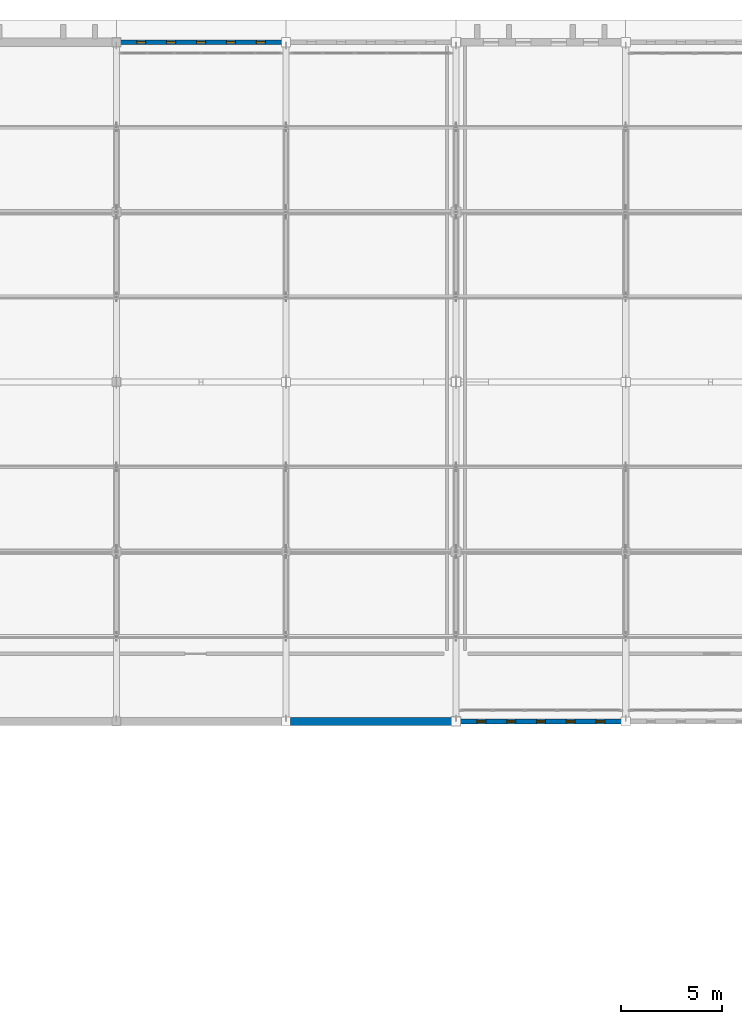
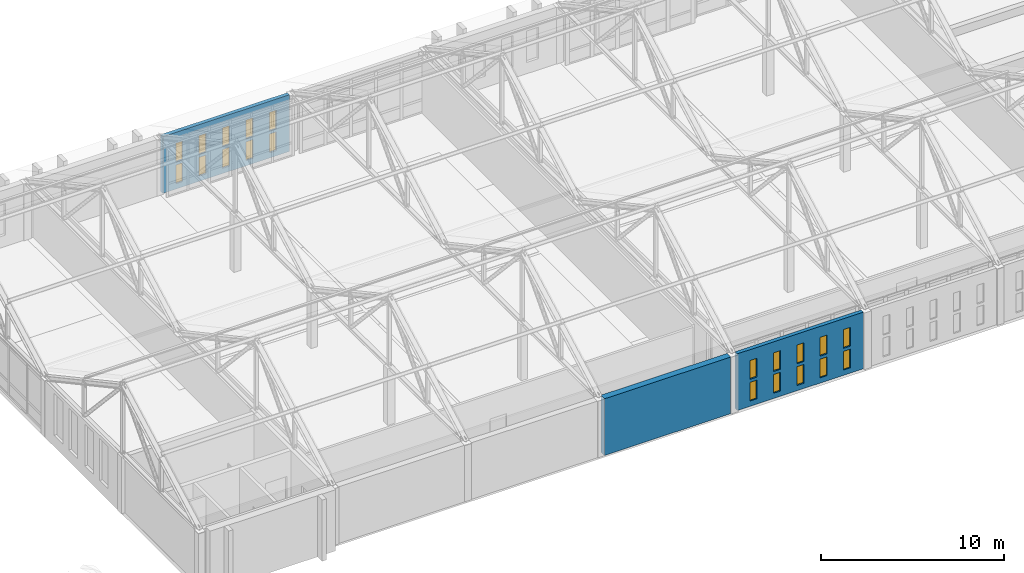
# One storey, part 90 of 110: 20 windows, 3 walls, 20 openings.
"""IFC4 building model written with IfcOpenShell, lengths in metres."""

from ifc_helpers import new_model, si_unit, direction, frame, frame_2d, origin, place, context, subcontext, project, spatial, rectangle, extrude, material, layer, layer_set, type_object, element, fill, save


model = new_model("IFC4")

# Units and contexts
model_context = context("Model", 3, precision=1e-05, world=origin(), true_north=direction((0.0, 1.0)))
body_context = subcontext(model_context, "Body", "Model", "MODEL_VIEW")
ifc_project = project(units=[si_unit("LENGTHUNIT", "METRE"), si_unit("AREAUNIT", "SQUARE_METRE"), si_unit("VOLUMEUNIT", "CUBIC_METRE"), si_unit("PLANEANGLEUNIT", "RADIAN"), si_unit("MASSUNIT", "GRAM", prefix="KILO")], contexts=[model_context])

# Site, building, storey
site_placement = place(None, origin())
site = spatial("IfcSite", under=ifc_project, at=site_placement, CompositionType="ELEMENT")
building_placement = place(site_placement, origin())
building = spatial("IfcBuilding", under=site, at=building_placement, Name="Kveldsbrygga Polytechnic", CompositionType="ELEMENT")
storey_placement = place(building_placement, frame((0.0, 0.0, 9.860107421875)))
storey = spatial("IfcBuildingStorey", under=building, at=storey_placement, Name="L02", CompositionType="ELEMENT", Elevation=9.860107421875)

# Wall
ifc_material_1 = material(Name="Fired clay brick masonry M10", Category="masonry")
ifc_layer_1 = layer(ifc_material_1, 0.39990234375)
ifc_layer_set_1 = layer_set([ifc_layer_1], Name="Fired clay brick masonry M10")
wall_type_1 = type_object("IfcWallType", Name="EW-BRICK-400", PredefinedType="SOLIDWALL", material=ifc_layer_set_1)
wall_1_placement = place(storey_placement, frame((67.409912109375, 84.0, 0.0), z_axis=(0.0, 0.0, 1.0), x_axis=(1.0, 0.0, 0.0)))
element("IfcWall", 1, at=wall_1_placement, inside=storey, type_object=wall_type_1, Name="Exterior Brick Wall EW-L02-X-08-10", PredefinedType="SOLIDWALL", context=body_context, shape_type="SweptSolid", body=[
    extrude(rectangle(XDim=7.965087890625, YDim=0.39990234375, at=frame_2d((3.982421875, 0.0))), origin(), (0.0, 0.0, 1.0), 3.77978515625),
])

# Wall, openings, windows
ifc_layer_2 = layer(ifc_material_1, 0.239990234375)
ifc_layer_set_2 = layer_set([ifc_layer_2], Name="Fired clay brick masonry M10")
wall_type_2 = type_object("IfcWallType", Name="EW-SCRN-240", PredefinedType="SOLIDWALL", material=ifc_layer_set_2)
wall_2_placement = place(storey_placement, frame((58.9951171875, 117.60009765625, 0.0), z_axis=(0.0, 0.0, 1.0), x_axis=(1.0, 0.0, 0.0)))
wall_2 = element("IfcWall", 2, at=wall_2_placement, inside=storey, type_object=wall_type_2, Name="Perforated Brick Corridor Screen Wall SCRW-L02-X-07-14", PredefinedType="SOLIDWALL", context=body_context, shape_type="SweptSolid", body=[
    extrude(rectangle(XDim=7.994873046875, YDim=0.239990234375, at=frame_2d((3.99755859375, 0.0))), origin(), (0.0, 0.0, 1.0), 3.77978515625),
])
opening_1_placement = place(wall_2_placement, frame((0.819580078125, 0.0, 0.35009765625)))
opening_1 = element("IfcOpeningElement", 3, at=opening_1_placement, cuts=wall_2, Name="Opening W-48", PredefinedType="OPENING", context=body_context, shape_type="SweptSolid", body=[
    extrude(rectangle(XDim=0.43994140625, YDim=1.25, at=frame_2d((0.219970703125, 0.625))), frame((0.0, 0.1298828125, 0.0), z_axis=(0.0, -1.0, 0.0), x_axis=(1.0, 0.0, 0.0)), (0.0, 0.0, 1.0), 0.260009765625),
])
opening_2_placement = place(wall_2_placement, frame((2.298583984375, 0.0, 0.35009765625)))
opening_2 = element("IfcOpeningElement", 4, at=opening_2_placement, cuts=wall_2, Name="Opening W-48", PredefinedType="OPENING", context=body_context, shape_type="SweptSolid", body=[
    extrude(rectangle(XDim=0.43994140625, YDim=1.25, at=frame_2d((0.219970703125, 0.625))), frame((0.0, 0.1298828125, 0.0), z_axis=(0.0, -1.0, 0.0), x_axis=(1.0, 0.0, 0.0)), (0.0, 0.0, 1.0), 0.260009765625),
])
opening_3_placement = place(wall_2_placement, frame((3.777587890625, 0.0, 0.35009765625)))
opening_3 = element("IfcOpeningElement", 5, at=opening_3_placement, cuts=wall_2, Name="Opening W-48", PredefinedType="OPENING", context=body_context, shape_type="SweptSolid", body=[
    extrude(rectangle(XDim=0.43994140625, YDim=1.25, at=frame_2d((0.219970703125, 0.625))), frame((0.0, 0.1298828125, 0.0), z_axis=(0.0, -1.0, 0.0), x_axis=(1.0, 0.0, 0.0)), (0.0, 0.0, 1.0), 0.260009765625),
])
opening_4_placement = place(wall_2_placement, frame((5.256591796875, 0.0, 0.35009765625)))
opening_4 = element("IfcOpeningElement", 6, at=opening_4_placement, cuts=wall_2, Name="Opening W-48", PredefinedType="OPENING", context=body_context, shape_type="SweptSolid", body=[
    extrude(rectangle(XDim=0.43994140625, YDim=1.25, at=frame_2d((0.219970703125, 0.625))), frame((0.0, 0.1298828125, 0.0), z_axis=(0.0, -1.0, 0.0), x_axis=(1.0, 0.0, 0.0)), (0.0, 0.0, 1.0), 0.260009765625),
])
opening_5_placement = place(wall_2_placement, frame((6.735595703125, 0.0, 0.35009765625)))
opening_5 = element("IfcOpeningElement", 7, at=opening_5_placement, cuts=wall_2, Name="Opening W-48", PredefinedType="OPENING", context=body_context, shape_type="SweptSolid", body=[
    extrude(rectangle(XDim=0.43994140625, YDim=1.25, at=frame_2d((0.219970703125, 0.625))), frame((0.0, 0.1298828125, 0.0), z_axis=(0.0, -1.0, 0.0), x_axis=(1.0, 0.0, 0.0)), (0.0, 0.0, 1.0), 0.260009765625),
])
opening_6_placement = place(wall_2_placement, frame((0.819580078125, 0.0, 1.800048828125)))
opening_6 = element("IfcOpeningElement", 8, at=opening_6_placement, cuts=wall_2, Name="Opening W-48", PredefinedType="OPENING", context=body_context, shape_type="SweptSolid", body=[
    extrude(rectangle(XDim=0.43994140625, YDim=1.25, at=frame_2d((0.219970703125, 0.625))), frame((0.0, 0.1298828125, 0.0), z_axis=(0.0, -1.0, 0.0), x_axis=(1.0, 0.0, 0.0)), (0.0, 0.0, 1.0), 0.260009765625),
])
opening_7_placement = place(wall_2_placement, frame((2.298583984375, 0.0, 1.800048828125)))
opening_7 = element("IfcOpeningElement", 9, at=opening_7_placement, cuts=wall_2, Name="Opening W-48", PredefinedType="OPENING", context=body_context, shape_type="SweptSolid", body=[
    extrude(rectangle(XDim=0.43994140625, YDim=1.25, at=frame_2d((0.219970703125, 0.625))), frame((0.0, 0.1298828125, 0.0), z_axis=(0.0, -1.0, 0.0), x_axis=(1.0, 0.0, 0.0)), (0.0, 0.0, 1.0), 0.260009765625),
])
opening_8_placement = place(wall_2_placement, frame((3.777587890625, 0.0, 1.800048828125)))
opening_8 = element("IfcOpeningElement", 10, at=opening_8_placement, cuts=wall_2, Name="Opening W-48", PredefinedType="OPENING", context=body_context, shape_type="SweptSolid", body=[
    extrude(rectangle(XDim=0.43994140625, YDim=1.25, at=frame_2d((0.219970703125, 0.625))), frame((0.0, 0.1298828125, 0.0), z_axis=(0.0, -1.0, 0.0), x_axis=(1.0, 0.0, 0.0)), (0.0, 0.0, 1.0), 0.260009765625),
])
opening_9_placement = place(wall_2_placement, frame((5.256591796875, 0.0, 1.800048828125)))
opening_9 = element("IfcOpeningElement", 11, at=opening_9_placement, cuts=wall_2, Name="Opening W-48", PredefinedType="OPENING", context=body_context, shape_type="SweptSolid", body=[
    extrude(rectangle(XDim=0.43994140625, YDim=1.25, at=frame_2d((0.219970703125, 0.625))), frame((0.0, 0.1298828125, 0.0), z_axis=(0.0, -1.0, 0.0), x_axis=(1.0, 0.0, 0.0)), (0.0, 0.0, 1.0), 0.260009765625),
])
opening_10_placement = place(wall_2_placement, frame((6.735595703125, 0.0, 1.800048828125)))
opening_10 = element("IfcOpeningElement", 12, at=opening_10_placement, cuts=wall_2, Name="Opening W-48", PredefinedType="OPENING", context=body_context, shape_type="SweptSolid", body=[
    extrude(rectangle(XDim=0.43994140625, YDim=1.25, at=frame_2d((0.219970703125, 0.625))), frame((0.0, 0.1298828125, 0.0), z_axis=(0.0, -1.0, 0.0), x_axis=(1.0, 0.0, 0.0)), (0.0, 0.0, 1.0), 0.260009765625),
])
ifc_material_2 = material(Name="Insulated triple low-E glass", Category="glass")
window_type = type_object("IfcWindowType", Name="WN-SCRN-044x125", PartitioningType="SINGLE_PANEL", PredefinedType="WINDOW", material=ifc_material_2)
window_1_placement = place(opening_1_placement, origin())
window_1 = element("IfcWindow", 13, at=window_1_placement, inside=storey, type_object=window_type, Name="Perforated Screen Aperture L02-X-07-14-1", OverallHeight=1.25, OverallWidth=0.43994140625, PartitioningType="SINGLE_PANEL", PredefinedType="WINDOW", context=body_context, shape_type="SweptSolid", body=[
    extrude(rectangle(XDim=0.43994140625, YDim=1.25, at=frame_2d((0.219970703125, 0.625))), frame((0.0, 0.030029296875, 0.0), z_axis=(0.0, -1.0, 0.0), x_axis=(1.0, 0.0, 0.0)), (0.0, 0.0, 1.0), 0.06005859375),
])
fill(opening_1, window_1)
window_2_placement = place(opening_2_placement, origin())
window_2 = element("IfcWindow", 14, at=window_2_placement, inside=storey, type_object=window_type, Name="Perforated Screen Aperture L02-X-07-14-2", OverallHeight=1.25, OverallWidth=0.43994140625, PartitioningType="SINGLE_PANEL", PredefinedType="WINDOW", context=body_context, shape_type="SweptSolid", body=[
    extrude(rectangle(XDim=0.43994140625, YDim=1.25, at=frame_2d((0.219970703125, 0.625))), frame((0.0, 0.030029296875, 0.0), z_axis=(0.0, -1.0, 0.0), x_axis=(1.0, 0.0, 0.0)), (0.0, 0.0, 1.0), 0.06005859375),
])
fill(opening_2, window_2)
window_3_placement = place(opening_3_placement, origin())
window_3 = element("IfcWindow", 15, at=window_3_placement, inside=storey, type_object=window_type, Name="Perforated Screen Aperture L02-X-07-14-3", OverallHeight=1.25, OverallWidth=0.43994140625, PartitioningType="SINGLE_PANEL", PredefinedType="WINDOW", context=body_context, shape_type="SweptSolid", body=[
    extrude(rectangle(XDim=0.43994140625, YDim=1.25, at=frame_2d((0.219970703125, 0.625))), frame((0.0, 0.030029296875, 0.0), z_axis=(0.0, -1.0, 0.0), x_axis=(1.0, 0.0, 0.0)), (0.0, 0.0, 1.0), 0.06005859375),
])
fill(opening_3, window_3)
window_4_placement = place(opening_4_placement, origin())
window_4 = element("IfcWindow", 16, at=window_4_placement, inside=storey, type_object=window_type, Name="Perforated Screen Aperture L02-X-07-14-4", OverallHeight=1.25, OverallWidth=0.43994140625, PartitioningType="SINGLE_PANEL", PredefinedType="WINDOW", context=body_context, shape_type="SweptSolid", body=[
    extrude(rectangle(XDim=0.43994140625, YDim=1.25, at=frame_2d((0.219970703125, 0.625))), frame((0.0, 0.030029296875, 0.0), z_axis=(0.0, -1.0, 0.0), x_axis=(1.0, 0.0, 0.0)), (0.0, 0.0, 1.0), 0.06005859375),
])
fill(opening_4, window_4)
window_5_placement = place(opening_5_placement, origin())
window_5 = element("IfcWindow", 17, at=window_5_placement, inside=storey, type_object=window_type, Name="Perforated Screen Aperture L02-X-07-14-5", OverallHeight=1.25, OverallWidth=0.43994140625, PartitioningType="SINGLE_PANEL", PredefinedType="WINDOW", context=body_context, shape_type="SweptSolid", body=[
    extrude(rectangle(XDim=0.43994140625, YDim=1.25, at=frame_2d((0.219970703125, 0.625))), frame((0.0, 0.030029296875, 0.0), z_axis=(0.0, -1.0, 0.0), x_axis=(1.0, 0.0, 0.0)), (0.0, 0.0, 1.0), 0.06005859375),
])
fill(opening_5, window_5)
window_6_placement = place(opening_6_placement, origin())
window_6 = element("IfcWindow", 18, at=window_6_placement, inside=storey, type_object=window_type, Name="Perforated Screen Aperture L02-X-07-14-6", OverallHeight=1.25, OverallWidth=0.43994140625, PartitioningType="SINGLE_PANEL", PredefinedType="WINDOW", context=body_context, shape_type="SweptSolid", body=[
    extrude(rectangle(XDim=0.43994140625, YDim=1.25, at=frame_2d((0.219970703125, 0.625))), frame((0.0, 0.030029296875, 0.0), z_axis=(0.0, -1.0, 0.0), x_axis=(1.0, 0.0, 0.0)), (0.0, 0.0, 1.0), 0.06005859375),
])
fill(opening_6, window_6)
window_7_placement = place(opening_7_placement, origin())
window_7 = element("IfcWindow", 19, at=window_7_placement, inside=storey, type_object=window_type, Name="Perforated Screen Aperture L02-X-07-14-7", OverallHeight=1.25, OverallWidth=0.43994140625, PartitioningType="SINGLE_PANEL", PredefinedType="WINDOW", context=body_context, shape_type="SweptSolid", body=[
    extrude(rectangle(XDim=0.43994140625, YDim=1.25, at=frame_2d((0.219970703125, 0.625))), frame((0.0, 0.030029296875, 0.0), z_axis=(0.0, -1.0, 0.0), x_axis=(1.0, 0.0, 0.0)), (0.0, 0.0, 1.0), 0.06005859375),
])
fill(opening_7, window_7)
window_8_placement = place(opening_8_placement, origin())
window_8 = element("IfcWindow", 20, at=window_8_placement, inside=storey, type_object=window_type, Name="Perforated Screen Aperture L02-X-07-14-8", OverallHeight=1.25, OverallWidth=0.43994140625, PartitioningType="SINGLE_PANEL", PredefinedType="WINDOW", context=body_context, shape_type="SweptSolid", body=[
    extrude(rectangle(XDim=0.43994140625, YDim=1.25, at=frame_2d((0.219970703125, 0.625))), frame((0.0, 0.030029296875, 0.0), z_axis=(0.0, -1.0, 0.0), x_axis=(1.0, 0.0, 0.0)), (0.0, 0.0, 1.0), 0.06005859375),
])
fill(opening_8, window_8)
window_9_placement = place(opening_9_placement, origin())
window_9 = element("IfcWindow", 21, at=window_9_placement, inside=storey, type_object=window_type, Name="Perforated Screen Aperture L02-X-07-14-9", OverallHeight=1.25, OverallWidth=0.43994140625, PartitioningType="SINGLE_PANEL", PredefinedType="WINDOW", context=body_context, shape_type="SweptSolid", body=[
    extrude(rectangle(XDim=0.43994140625, YDim=1.25, at=frame_2d((0.219970703125, 0.625))), frame((0.0, 0.030029296875, 0.0), z_axis=(0.0, -1.0, 0.0), x_axis=(1.0, 0.0, 0.0)), (0.0, 0.0, 1.0), 0.06005859375),
])
fill(opening_9, window_9)
window_10_placement = place(opening_10_placement, origin())
window_10 = element("IfcWindow", 22, at=window_10_placement, inside=storey, type_object=window_type, Name="Perforated Screen Aperture L02-X-07-14-10", OverallHeight=1.25, OverallWidth=0.43994140625, PartitioningType="SINGLE_PANEL", PredefinedType="WINDOW", context=body_context, shape_type="SweptSolid", body=[
    extrude(rectangle(XDim=0.43994140625, YDim=1.25, at=frame_2d((0.219970703125, 0.625))), frame((0.0, 0.030029296875, 0.0), z_axis=(0.0, -1.0, 0.0), x_axis=(1.0, 0.0, 0.0)), (0.0, 0.0, 1.0), 0.06005859375),
])
fill(opening_10, window_10)

wall_3_placement = place(storey_placement, frame((75.824951171875, 84.0, 0.0), z_axis=(0.0, 0.0, 1.0), x_axis=(1.0, 0.0, 0.0)))
wall_3 = element("IfcWall", 23, at=wall_3_placement, inside=storey, type_object=wall_type_2, Name="Perforated Brick Corridor Screen Wall SCRW-L02-X-09-10", PredefinedType="SOLIDWALL", context=body_context, shape_type="SweptSolid", body=[
    extrude(rectangle(XDim=7.965087890625, YDim=0.239990234375, at=frame_2d((3.982421875, 0.0))), origin(), (0.0, 0.0, 1.0), 3.77978515625),
])
opening_11_placement = place(wall_3_placement, frame((0.81640625, 0.0, 0.35009765625)))
opening_11 = element("IfcOpeningElement", 24, at=opening_11_placement, cuts=wall_3, Name="Opening W-48", PredefinedType="OPENING", context=body_context, shape_type="SweptSolid", body=[
    extrude(rectangle(XDim=0.43994140625, YDim=1.25, at=frame_2d((0.219970703125, 0.625))), frame((0.0, 0.1298828125, 0.0), z_axis=(0.0, -1.0, 0.0), x_axis=(1.0, 0.0, 0.0)), (0.0, 0.0, 1.0), 0.260009765625),
])
opening_12_placement = place(wall_3_placement, frame((2.28955078125, 0.0, 0.35009765625)))
opening_12 = element("IfcOpeningElement", 25, at=opening_12_placement, cuts=wall_3, Name="Opening W-48", PredefinedType="OPENING", context=body_context, shape_type="SweptSolid", body=[
    extrude(rectangle(XDim=0.43994140625, YDim=1.25, at=frame_2d((0.219970703125, 0.625))), frame((0.0, 0.1298828125, 0.0), z_axis=(0.0, -1.0, 0.0), x_axis=(1.0, 0.0, 0.0)), (0.0, 0.0, 1.0), 0.260009765625),
])
opening_13_placement = place(wall_3_placement, frame((3.762451171875, 0.0, 0.35009765625)))
opening_13 = element("IfcOpeningElement", 26, at=opening_13_placement, cuts=wall_3, Name="Opening W-48", PredefinedType="OPENING", context=body_context, shape_type="SweptSolid", body=[
    extrude(rectangle(XDim=0.43994140625, YDim=1.25, at=frame_2d((0.219970703125, 0.625))), frame((0.0, 0.1298828125, 0.0), z_axis=(0.0, -1.0, 0.0), x_axis=(1.0, 0.0, 0.0)), (0.0, 0.0, 1.0), 0.260009765625),
])
opening_14_placement = place(wall_3_placement, frame((5.235595703125, 0.0, 0.35009765625)))
opening_14 = element("IfcOpeningElement", 27, at=opening_14_placement, cuts=wall_3, Name="Opening W-48", PredefinedType="OPENING", context=body_context, shape_type="SweptSolid", body=[
    extrude(rectangle(XDim=0.43994140625, YDim=1.25, at=frame_2d((0.219970703125, 0.625))), frame((0.0, 0.1298828125, 0.0), z_axis=(0.0, -1.0, 0.0), x_axis=(1.0, 0.0, 0.0)), (0.0, 0.0, 1.0), 0.260009765625),
])
opening_15_placement = place(wall_3_placement, frame((6.70849609375, 0.0, 0.35009765625)))
opening_15 = element("IfcOpeningElement", 28, at=opening_15_placement, cuts=wall_3, Name="Opening W-48", PredefinedType="OPENING", context=body_context, shape_type="SweptSolid", body=[
    extrude(rectangle(XDim=0.43994140625, YDim=1.25, at=frame_2d((0.219970703125, 0.625))), frame((0.0, 0.1298828125, 0.0), z_axis=(0.0, -1.0, 0.0), x_axis=(1.0, 0.0, 0.0)), (0.0, 0.0, 1.0), 0.260009765625),
])
opening_16_placement = place(wall_3_placement, frame((0.81640625, 0.0, 1.800048828125)))
opening_16 = element("IfcOpeningElement", 29, at=opening_16_placement, cuts=wall_3, Name="Opening W-48", PredefinedType="OPENING", context=body_context, shape_type="SweptSolid", body=[
    extrude(rectangle(XDim=0.43994140625, YDim=1.25, at=frame_2d((0.219970703125, 0.625))), frame((0.0, 0.1298828125, 0.0), z_axis=(0.0, -1.0, 0.0), x_axis=(1.0, 0.0, 0.0)), (0.0, 0.0, 1.0), 0.260009765625),
])
opening_17_placement = place(wall_3_placement, frame((2.28955078125, 0.0, 1.800048828125)))
opening_17 = element("IfcOpeningElement", 30, at=opening_17_placement, cuts=wall_3, Name="Opening W-48", PredefinedType="OPENING", context=body_context, shape_type="SweptSolid", body=[
    extrude(rectangle(XDim=0.43994140625, YDim=1.25, at=frame_2d((0.219970703125, 0.625))), frame((0.0, 0.1298828125, 0.0), z_axis=(0.0, -1.0, 0.0), x_axis=(1.0, 0.0, 0.0)), (0.0, 0.0, 1.0), 0.260009765625),
])
opening_18_placement = place(wall_3_placement, frame((3.762451171875, 0.0, 1.800048828125)))
opening_18 = element("IfcOpeningElement", 31, at=opening_18_placement, cuts=wall_3, Name="Opening W-48", PredefinedType="OPENING", context=body_context, shape_type="SweptSolid", body=[
    extrude(rectangle(XDim=0.43994140625, YDim=1.25, at=frame_2d((0.219970703125, 0.625))), frame((0.0, 0.1298828125, 0.0), z_axis=(0.0, -1.0, 0.0), x_axis=(1.0, 0.0, 0.0)), (0.0, 0.0, 1.0), 0.260009765625),
])
opening_19_placement = place(wall_3_placement, frame((5.235595703125, 0.0, 1.800048828125)))
opening_19 = element("IfcOpeningElement", 32, at=opening_19_placement, cuts=wall_3, Name="Opening W-48", PredefinedType="OPENING", context=body_context, shape_type="SweptSolid", body=[
    extrude(rectangle(XDim=0.43994140625, YDim=1.25, at=frame_2d((0.219970703125, 0.625))), frame((0.0, 0.1298828125, 0.0), z_axis=(0.0, -1.0, 0.0), x_axis=(1.0, 0.0, 0.0)), (0.0, 0.0, 1.0), 0.260009765625),
])
opening_20_placement = place(wall_3_placement, frame((6.70849609375, 0.0, 1.800048828125)))
opening_20 = element("IfcOpeningElement", 33, at=opening_20_placement, cuts=wall_3, Name="Opening W-48", PredefinedType="OPENING", context=body_context, shape_type="SweptSolid", body=[
    extrude(rectangle(XDim=0.43994140625, YDim=1.25, at=frame_2d((0.219970703125, 0.625))), frame((0.0, 0.1298828125, 0.0), z_axis=(0.0, -1.0, 0.0), x_axis=(1.0, 0.0, 0.0)), (0.0, 0.0, 1.0), 0.260009765625),
])
window_11_placement = place(opening_11_placement, origin())
window_11 = element("IfcWindow", 34, at=window_11_placement, inside=storey, type_object=window_type, Name="Perforated Screen Aperture L02-X-09-10-1", OverallHeight=1.25, OverallWidth=0.43994140625, PartitioningType="SINGLE_PANEL", PredefinedType="WINDOW", context=body_context, shape_type="SweptSolid", body=[
    extrude(rectangle(XDim=0.43994140625, YDim=1.25, at=frame_2d((0.219970703125, 0.625))), frame((0.0, 0.030029296875, 0.0), z_axis=(0.0, -1.0, 0.0), x_axis=(1.0, 0.0, 0.0)), (0.0, 0.0, 1.0), 0.06005859375),
])
fill(opening_11, window_11)
window_12_placement = place(opening_12_placement, origin())
window_12 = element("IfcWindow", 35, at=window_12_placement, inside=storey, type_object=window_type, Name="Perforated Screen Aperture L02-X-09-10-2", OverallHeight=1.25, OverallWidth=0.43994140625, PartitioningType="SINGLE_PANEL", PredefinedType="WINDOW", context=body_context, shape_type="SweptSolid", body=[
    extrude(rectangle(XDim=0.43994140625, YDim=1.25, at=frame_2d((0.219970703125, 0.625))), frame((0.0, 0.030029296875, 0.0), z_axis=(0.0, -1.0, 0.0), x_axis=(1.0, 0.0, 0.0)), (0.0, 0.0, 1.0), 0.06005859375),
])
fill(opening_12, window_12)
window_13_placement = place(opening_13_placement, origin())
window_13 = element("IfcWindow", 36, at=window_13_placement, inside=storey, type_object=window_type, Name="Perforated Screen Aperture L02-X-09-10-3", OverallHeight=1.25, OverallWidth=0.43994140625, PartitioningType="SINGLE_PANEL", PredefinedType="WINDOW", context=body_context, shape_type="SweptSolid", body=[
    extrude(rectangle(XDim=0.43994140625, YDim=1.25, at=frame_2d((0.219970703125, 0.625))), frame((0.0, 0.030029296875, 0.0), z_axis=(0.0, -1.0, 0.0), x_axis=(1.0, 0.0, 0.0)), (0.0, 0.0, 1.0), 0.06005859375),
])
fill(opening_13, window_13)
window_14_placement = place(opening_14_placement, origin())
window_14 = element("IfcWindow", 37, at=window_14_placement, inside=storey, type_object=window_type, Name="Perforated Screen Aperture L02-X-09-10-4", OverallHeight=1.25, OverallWidth=0.43994140625, PartitioningType="SINGLE_PANEL", PredefinedType="WINDOW", context=body_context, shape_type="SweptSolid", body=[
    extrude(rectangle(XDim=0.43994140625, YDim=1.25, at=frame_2d((0.219970703125, 0.625))), frame((0.0, 0.030029296875, 0.0), z_axis=(0.0, -1.0, 0.0), x_axis=(1.0, 0.0, 0.0)), (0.0, 0.0, 1.0), 0.06005859375),
])
fill(opening_14, window_14)
window_15_placement = place(opening_15_placement, origin())
window_15 = element("IfcWindow", 38, at=window_15_placement, inside=storey, type_object=window_type, Name="Perforated Screen Aperture L02-X-09-10-5", OverallHeight=1.25, OverallWidth=0.43994140625, PartitioningType="SINGLE_PANEL", PredefinedType="WINDOW", context=body_context, shape_type="SweptSolid", body=[
    extrude(rectangle(XDim=0.43994140625, YDim=1.25, at=frame_2d((0.219970703125, 0.625))), frame((0.0, 0.030029296875, 0.0), z_axis=(0.0, -1.0, 0.0), x_axis=(1.0, 0.0, 0.0)), (0.0, 0.0, 1.0), 0.06005859375),
])
fill(opening_15, window_15)
window_16_placement = place(opening_16_placement, origin())
window_16 = element("IfcWindow", 39, at=window_16_placement, inside=storey, type_object=window_type, Name="Perforated Screen Aperture L02-X-09-10-6", OverallHeight=1.25, OverallWidth=0.43994140625, PartitioningType="SINGLE_PANEL", PredefinedType="WINDOW", context=body_context, shape_type="SweptSolid", body=[
    extrude(rectangle(XDim=0.43994140625, YDim=1.25, at=frame_2d((0.219970703125, 0.625))), frame((0.0, 0.030029296875, 0.0), z_axis=(0.0, -1.0, 0.0), x_axis=(1.0, 0.0, 0.0)), (0.0, 0.0, 1.0), 0.06005859375),
])
fill(opening_16, window_16)
window_17_placement = place(opening_17_placement, origin())
window_17 = element("IfcWindow", 40, at=window_17_placement, inside=storey, type_object=window_type, Name="Perforated Screen Aperture L02-X-09-10-7", OverallHeight=1.25, OverallWidth=0.43994140625, PartitioningType="SINGLE_PANEL", PredefinedType="WINDOW", context=body_context, shape_type="SweptSolid", body=[
    extrude(rectangle(XDim=0.43994140625, YDim=1.25, at=frame_2d((0.219970703125, 0.625))), frame((0.0, 0.030029296875, 0.0), z_axis=(0.0, -1.0, 0.0), x_axis=(1.0, 0.0, 0.0)), (0.0, 0.0, 1.0), 0.06005859375),
])
fill(opening_17, window_17)
window_18_placement = place(opening_18_placement, origin())
window_18 = element("IfcWindow", 41, at=window_18_placement, inside=storey, type_object=window_type, Name="Perforated Screen Aperture L02-X-09-10-8", OverallHeight=1.25, OverallWidth=0.43994140625, PartitioningType="SINGLE_PANEL", PredefinedType="WINDOW", context=body_context, shape_type="SweptSolid", body=[
    extrude(rectangle(XDim=0.43994140625, YDim=1.25, at=frame_2d((0.219970703125, 0.625))), frame((0.0, 0.030029296875, 0.0), z_axis=(0.0, -1.0, 0.0), x_axis=(1.0, 0.0, 0.0)), (0.0, 0.0, 1.0), 0.06005859375),
])
fill(opening_18, window_18)
window_19_placement = place(opening_19_placement, origin())
window_19 = element("IfcWindow", 42, at=window_19_placement, inside=storey, type_object=window_type, Name="Perforated Screen Aperture L02-X-09-10-9", OverallHeight=1.25, OverallWidth=0.43994140625, PartitioningType="SINGLE_PANEL", PredefinedType="WINDOW", context=body_context, shape_type="SweptSolid", body=[
    extrude(rectangle(XDim=0.43994140625, YDim=1.25, at=frame_2d((0.219970703125, 0.625))), frame((0.0, 0.030029296875, 0.0), z_axis=(0.0, -1.0, 0.0), x_axis=(1.0, 0.0, 0.0)), (0.0, 0.0, 1.0), 0.06005859375),
])
fill(opening_19, window_19)
window_20_placement = place(opening_20_placement, origin())
window_20 = element("IfcWindow", 43, at=window_20_placement, inside=storey, type_object=window_type, Name="Perforated Screen Aperture L02-X-09-10-10", OverallHeight=1.25, OverallWidth=0.43994140625, PartitioningType="SINGLE_PANEL", PredefinedType="WINDOW", context=body_context, shape_type="SweptSolid", body=[
    extrude(rectangle(XDim=0.43994140625, YDim=1.25, at=frame_2d((0.219970703125, 0.625))), frame((0.0, 0.030029296875, 0.0), z_axis=(0.0, -1.0, 0.0), x_axis=(1.0, 0.0, 0.0)), (0.0, 0.0, 1.0), 0.06005859375),
])
fill(opening_20, window_20)

save(model, "model.ifc")
